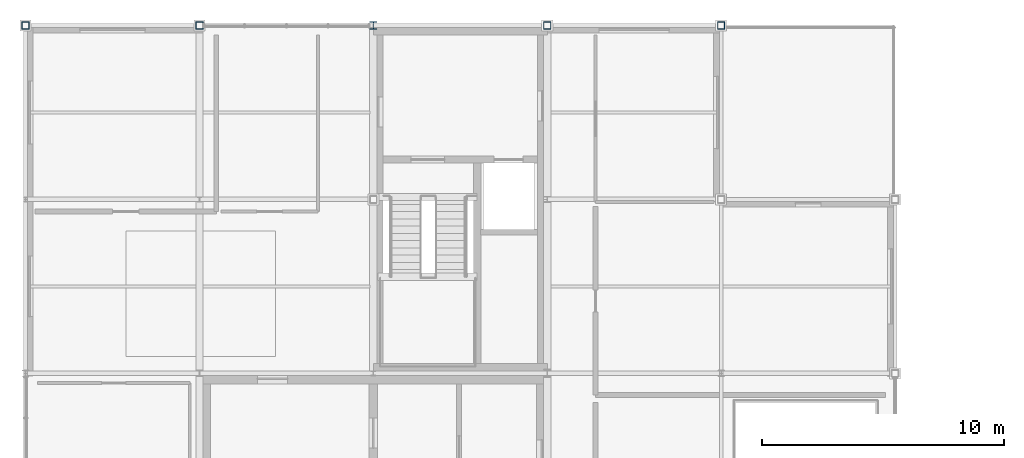
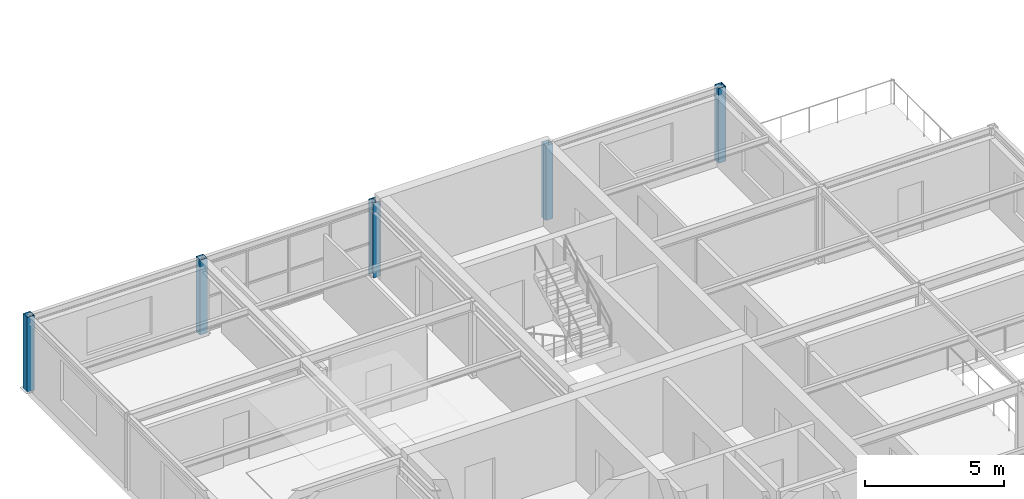
# One storey, part 4 of 22: 5 columns.
"""IFC4 building model written with IfcOpenShell, lengths in metres."""

from ifc_helpers import new_model, si_unit, direction, frame, origin, origin_2d, place, context, subcontext, project, spatial, hollow_rectangle, i_section, extrude, material, material_profile, profile_set, type_object, element, save


model = new_model("IFC4")

# Units and contexts
model_context = context("Model", 3, precision=1e-05, world=origin(), true_north=direction((0.0, 1.0)))
body_context = subcontext(model_context, "Body", "Model", "MODEL_VIEW")
ifc_project = project(units=[si_unit("LENGTHUNIT", "METRE"), si_unit("AREAUNIT", "SQUARE_METRE"), si_unit("VOLUMEUNIT", "CUBIC_METRE"), si_unit("PLANEANGLEUNIT", "RADIAN"), si_unit("MASSUNIT", "GRAM", prefix="KILO")], contexts=[model_context])

# Site, building, storey
site_placement = place(None, origin())
site = spatial("IfcSite", under=ifc_project, at=site_placement, CompositionType="ELEMENT")
building_placement = place(site_placement, origin())
building = spatial("IfcBuilding", under=site, at=building_placement, Name="Leyfeld Transit Interchange", CompositionType="ELEMENT")
storey_placement = place(building_placement, frame((0.0, 0.0, 18.0)))
storey = spatial("IfcBuildingStorey", under=building, at=storey_placement, Name="L04", CompositionType="ELEMENT", Elevation=18.0)

# Columns
ifc_material = material(Name="Steel S355J2", Category="steel")
ifc_material_profile_1 = material_profile(ifc_material, i_section(OverallWidth=0.300048828125, OverallDepth=0.320068359375, WebThickness=0.011474609375, FlangeThickness=0.0205078125, FilletRadius=0.027099609375, at=origin_2d()), Name="HEB 320")
ifc_profile_set_1 = profile_set([ifc_material_profile_1], Name="Steel S355J2")
column_type_1 = type_object("IfcColumnType", Name="COL-CAT-14", PredefinedType="COLUMN", material=ifc_profile_set_1)
column_placement = place(storey_placement, frame((14.39990234375, 122.39990234375, 0.0), z_axis=(0.0, 0.0, 1.0), x_axis=(1.0, 0.0, 0.0)))
element("IfcColumn", 1, at=column_placement, inside=storey, type_object=column_type_1, Name="Column COL-L04-0144_1224", PredefinedType="COLUMN", context=body_context, shape_type="SweptSolid", body=[
    extrude(i_section(OverallWidth=0.300048828125, OverallDepth=0.320068359375, WebThickness=0.011474609375, FlangeThickness=0.0205078125, FilletRadius=0.027099609375, at=origin_2d()), origin(), (0.0, 0.0, 1.0), 3.300048828125),
])
ifc_material_profile_2 = material_profile(ifc_material, hollow_rectangle(XDim=0.300048828125, YDim=0.300048828125, WallThickness=0.012451171875, at=origin_2d()), Name="SHS 300x300x12.5")
ifc_profile_set_2 = profile_set([ifc_material_profile_2], Name="Steel S355J2")
column_type_2 = type_object("IfcColumnType", Name="COL-STL-SHS300", PredefinedType="COLUMN", material=ifc_profile_set_2)
for number, where, z_axis, x_axis, name in (
    (2, (0.0, 122.39990234375, 0.0), (0.0, 0.0, 1.0), (1.0, 0.0, 0.0), "Column COL-L04-0000_1224"),
    (3, (7.199951171875, 122.39990234375, 0.0), (0.0, 0.0, 1.0), (1.0, 0.0, 0.0), "Column COL-L04-0072_1224"),
    (4, (21.60009765625, 122.39990234375, 0.0), (0.0, 0.0, 1.0), (1.0, 0.0, 0.0), "Column COL-L04-0216_1224"),
    (5, (28.800048828125, 122.39990234375, 0.0), (0.0, 0.0, 1.0), (1.0, 0.0, 0.0), "Column COL-L04-0288_1224"),
):
    element("IfcColumn", number, at=place(storey_placement, frame(where, z_axis=z_axis, x_axis=x_axis)), inside=storey, type_object=column_type_2, Name=name, PredefinedType="COLUMN", context=body_context, shape_type="SweptSolid", body=[
        extrude(hollow_rectangle(XDim=0.300048828125, YDim=0.300048828125, WallThickness=0.012451171875, at=origin_2d()), origin(), (0.0, 0.0, 1.0), 3.300048828125),
    ])

save(model, "model.ifc")
